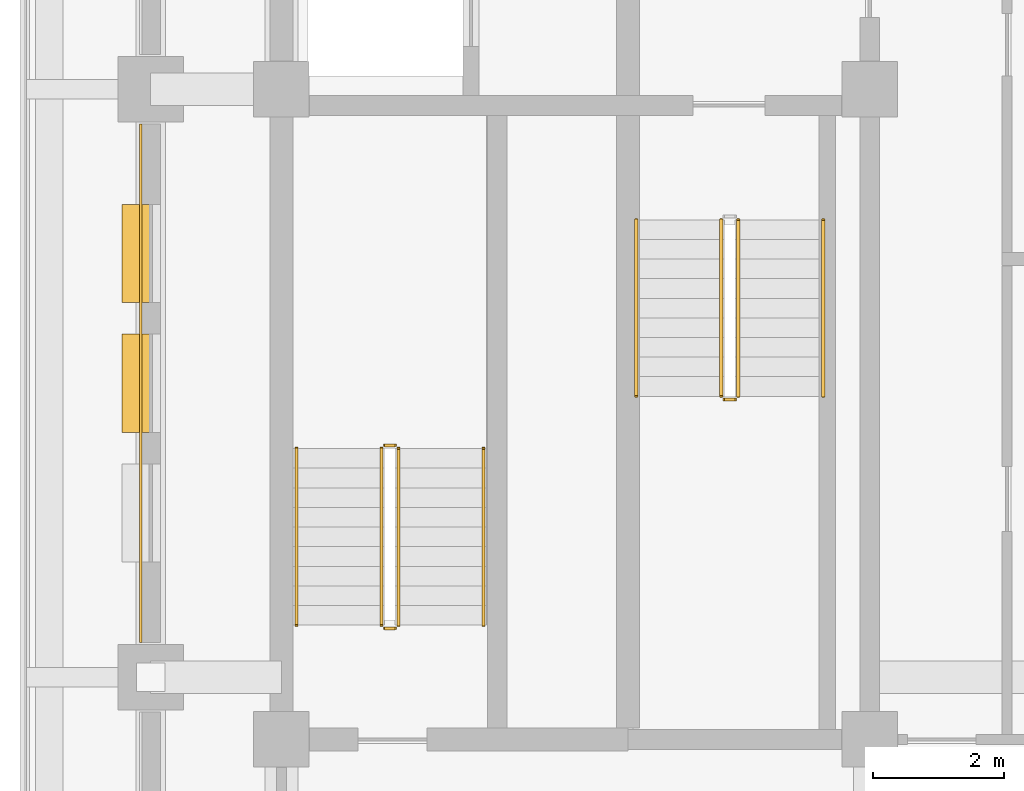
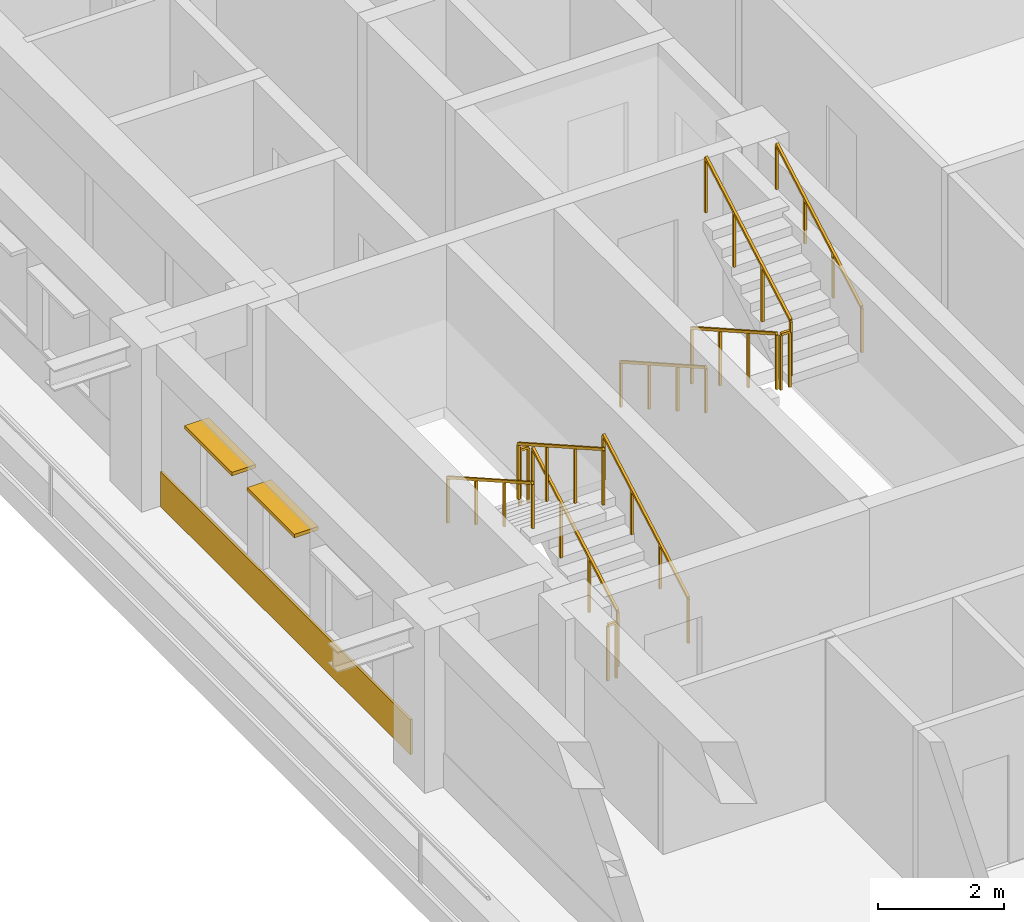
# One storey, part 9 of 13: 11 railings, 2 shading devices, 1 covering.
"""IFC4 building model written with IfcOpenShell, lengths in metres."""

import ifcopenshell
import ifcopenshell.guid

model = None  # the IFC model being written
_history = None  # IfcOwnerHistory: only IFC2X3 demands one
_inside = {}  # id of a spatial element -> (the spatial element, [elements in it])
_under = {}  # id of a project, library or spatial element -> (it, [spatial elements below it])
_declared = {}  # id of a project -> (the project, [libraries it declares])
_typed = {}  # id of a type object -> (the type object, [elements of that type])
_made_of = {}  # id of a material, layer set ... -> (it, [elements and type objects made of it])


def new_model(schema):
    """Start an empty IFC model of exactly this schema.

    Asked for "IFC4X3", IfcOpenShell would pick the latest addendum, in which some entities
    have other attributes; the version numbers below select the first issue.
    IFC2X3 requires an IfcOwnerHistory on every rooted entity: one is made here for all.
    """
    global model, _history
    if schema == "IFC4X3":
        model = ifcopenshell.file(schema_version=(4, 3, 0, 0))
    else:
        model = ifcopenshell.file(schema=schema)
    _inside.clear()
    _under.clear()
    _declared.clear()
    _typed.clear()
    _made_of.clear()
    _history = None
    if model.schema == "IFC2X3":
        org = make("IfcOrganization", Name="unknown")
        user = make(
            "IfcPersonAndOrganization",
            ThePerson=make("IfcPerson", FamilyName="unknown"),
            TheOrganization=org,
        )
        app = make(
            "IfcApplication",
            ApplicationDeveloper=org,
            Version="unknown",
            ApplicationFullName="unknown",
            ApplicationIdentifier="unknown",
        )
        _history = make(
            "IfcOwnerHistory",
            OwningUser=user,
            OwningApplication=app,
            ChangeAction="ADDED",
            CreationDate=0,
        )
    return model


def make(cls, **values):
    """One entity of the class cls with the attributes given. An attribute that is None is left unset."""
    return model.create_entity(
        cls, **{name: value for name, value in values.items() if value is not None}
    )


def rooted(cls, **values):
    """An entity with a GlobalId (a new one), such as an element, a storey or a relation."""
    return make(cls, GlobalId=ifcopenshell.guid.new(), OwnerHistory=_history, **values)


def si_unit(unit_type, name, prefix=None):
    """IfcSIUnit, for example si_unit("LENGTHUNIT", "METRE", prefix="MILLI")."""
    return make("IfcSIUnit", UnitType=unit_type, Prefix=prefix, Name=name)


def assignment(units):
    """IfcUnitAssignment: the units of a project."""
    return None if units is None else make("IfcUnitAssignment", Units=units)


def point(xyz):
    """IfcCartesianPoint."""
    return None if xyz is None else make("IfcCartesianPoint", Coordinates=xyz)


def direction(xyz):
    """IfcDirection."""
    return None if xyz is None else make("IfcDirection", DirectionRatios=xyz)


def frame(location, z_axis=None, x_axis=None):
    """IfcAxis2Placement3D, a coordinate frame: its origin and axes. An axis left out is left unset."""
    return make(
        "IfcAxis2Placement3D",
        Location=point(location),
        Axis=direction(z_axis),
        RefDirection=direction(x_axis),
    )


def frame_2d(location, x_axis=None):
    """IfcAxis2Placement2D, a coordinate frame in the plane: its origin and x axis."""
    return make(
        "IfcAxis2Placement2D", Location=point(location), RefDirection=direction(x_axis)
    )


def origin():
    """The frame at (0, 0, 0) with its axes left unset."""
    return frame((0.0, 0.0, 0.0))


def origin_2d():
    """The frame at (0, 0) in the plane with its x axis left unset."""
    return frame_2d((0.0, 0.0))


def place(relative_to, where):
    """IfcLocalPlacement: puts the frame where relative to a parent placement (None: the world)."""
    return make(
        "IfcLocalPlacement", PlacementRelTo=relative_to, RelativePlacement=where
    )


def context(
    kind, dimensions, precision=None, world=None, true_north=None, identifier=None
):
    """IfcGeometricRepresentationContext, for example the 3D "Model" context."""
    return make(
        "IfcGeometricRepresentationContext",
        ContextIdentifier=identifier,
        ContextType=kind,
        CoordinateSpaceDimension=dimensions,
        Precision=precision,
        WorldCoordinateSystem=world,
        TrueNorth=true_north,
    )


def subcontext(parent, identifier, kind, view, scale=None):
    """IfcGeometricRepresentationSubContext, for example "Body" below "Model"."""
    return make(
        "IfcGeometricRepresentationSubContext",
        ContextIdentifier=identifier,
        ContextType=kind,
        ParentContext=parent,
        TargetScale=scale,
        TargetView=view,
    )


def project(units=None, contexts=None):
    """IfcProject with its units and contexts."""
    return rooted(
        "IfcProject",
        Name="project",
        RepresentationContexts=contexts,
        UnitsInContext=assignment(units),
    )


def spatial(cls, under=None, at=None, **own):
    """A site, building, storey or space (cls), placed at a placement, below another one or the project."""
    s = rooted(cls, ObjectPlacement=at, **own)
    if under is not None:
        _under.setdefault(under.id(), (under, []))[1].append(s)
    return s


def profile(cls, at=None, kind="AREA", **sizes):
    """A parametric profile (cls). Its sizes go by their IFC names, for example OverallWidth=200.0."""
    return make(cls, ProfileType=kind, Position=at, **sizes)


def rectangle(**sizes):
    """IfcRectangleProfileDef."""
    return profile("IfcRectangleProfileDef", **sizes)


def extrude(swept, where, along, depth):
    """IfcExtrudedAreaSolid: the profile swept, set in the frame where, extruded along a direction by depth."""
    return make(
        "IfcExtrudedAreaSolid",
        SweptArea=swept,
        Position=where,
        ExtrudedDirection=direction(along),
        Depth=depth,
    )


def shape(context_of_items, identifier, shape_type, items):
    """IfcShapeRepresentation: the items that make up one representation, for example the "Body"."""
    return make(
        "IfcShapeRepresentation",
        ContextOfItems=context_of_items,
        RepresentationIdentifier=identifier,
        RepresentationType=shape_type,
        Items=items,
    )


def material(Name=None, Category=None):
    """IfcMaterial."""
    return make("IfcMaterial", Name=Name, Category=Category)


def layer(
    of_material, thickness, ventilated=None, Name=None, Category=None, Priority=None
):
    """IfcMaterialLayer: one layer of a wall or slab, of a material (None: an air gap)."""
    return make(
        "IfcMaterialLayer",
        Material=of_material,
        LayerThickness=thickness,
        IsVentilated=ventilated,
        Name=Name,
        Category=Category,
        Priority=Priority,
    )


def layer_set(layers, Name=None):
    """IfcMaterialLayerSet."""
    return make("IfcMaterialLayerSet", MaterialLayers=layers, LayerSetName=Name)


def made_of(thing, what):
    """Note that an element or type object is made of a material, layer set ...; save() writes the relation."""
    if what is not None:
        _made_of.setdefault(what.id(), (what, []))[1].append(thing)
    return thing


def type_object(cls, material=None, **own):
    """A type object (cls), such as IfcWallType, which elements share."""
    return made_of(rooted(cls, **own), material)


def element(
    cls,
    number,
    at=None,
    inside=None,
    cuts=None,
    type_object=None,
    material=None,
    context=None,
    identifier="Body",
    shape_type=None,
    held_by="IfcProductDefinitionShape",
    body=None,
    shapes=None,
    **own,
):
    """One element of the class cls, such as IfcWall. Its Tag is "e" and its number.

    at: its placement. inside: the storey or other place that contains it. cuts: it is an
    opening in that element (IfcRelVoidsElement). A single representation is given by context,
    identifier, shape_type and body (its items); several are given by shapes. held_by: the class
    of the entity that holds the representations. save() writes the other relations.
    """
    e = rooted(cls, Tag="e%d" % number, ObjectPlacement=at, **own)
    if body is not None:
        shapes = [shape(context, identifier, shape_type, body)]
    if shapes is not None:
        e.Representation = make(held_by, Representations=shapes)
    if inside is not None:
        _inside.setdefault(inside.id(), (inside, []))[1].append(e)
    if cuts is not None:
        rooted(
            "IfcRelVoidsElement", RelatingBuildingElement=cuts, RelatedOpeningElement=e
        )
    if type_object is not None:
        _typed.setdefault(type_object.id(), (type_object, []))[1].append(e)
    return made_of(e, material)


def aggregate(whole, parts):
    """IfcRelAggregates: a whole, such as a stair, and the parts it consists of."""
    return rooted("IfcRelAggregates", RelatingObject=whole, RelatedObjects=parts)


def save(model, path):
    """Write the relations noted so far, then the file.

    IfcRelAggregates (storeys below a building ...), IfcRelContainedInSpatialStructure (elements
    in a storey), IfcRelDefinesByType, IfcRelAssociatesMaterial and IfcRelDeclares: one each for
    every whole, place, type object, material and project.
    """
    for whole, parts in _under.values():
        aggregate(whole, parts)
    for where, things in _inside.values():
        rooted(
            "IfcRelContainedInSpatialStructure",
            RelatedElements=things,
            RelatingStructure=where,
        )
    for kind, things in _typed.values():
        rooted("IfcRelDefinesByType", RelatedObjects=things, RelatingType=kind)
    for what, things in _made_of.values():
        rooted("IfcRelAssociatesMaterial", RelatedObjects=things, RelatingMaterial=what)
    for by, libraries in _declared.values():
        rooted("IfcRelDeclares", RelatingContext=by, RelatedDefinitions=libraries)
    model.write(path)


model = new_model("IFC4")

# Units and contexts
model_context = context("Model", 3, precision=1e-05, world=origin(), true_north=direction((0.0, 1.0)))
body_context = subcontext(model_context, "Body", "Model", "MODEL_VIEW")
ifc_project = project(units=[si_unit("LENGTHUNIT", "METRE"), si_unit("AREAUNIT", "SQUARE_METRE"), si_unit("VOLUMEUNIT", "CUBIC_METRE"), si_unit("PLANEANGLEUNIT", "RADIAN"), si_unit("MASSUNIT", "GRAM", prefix="KILO")], contexts=[model_context])

# Site, building, storey
site_placement = place(None, origin())
site = spatial("IfcSite", under=ifc_project, at=site_placement, CompositionType="ELEMENT")
building_placement = place(site_placement, origin())
building = spatial("IfcBuilding", under=site, at=building_placement, Name="Zulmaris Gate Convention Tower", CompositionType="ELEMENT")
storey_placement = place(building_placement, frame((0.0, 0.0, 169.4599609375)))
storey = spatial("IfcBuildingStorey", under=building, at=storey_placement, Name="L43", CompositionType="ELEMENT", Elevation=169.4599609375)

# Covering
ifc_material_1 = material(Name="Precast concrete C40/50", Category="concrete")
ifc_layer_1 = layer(ifc_material_1, 0.0400390625, Name="Precast concrete C40/50")
ifc_layer_set_1 = layer_set([ifc_layer_1], Name="Precast concrete C40/50")
covering_type = type_object("IfcCoveringType", Name="CLAD-SPANDREL-PRECAST", PredefinedType="CLADDING", material=ifc_layer_set_1)
covering_placement = place(storey_placement, frame((-22.14990234375, -0.530029296875, 0.0), z_axis=(0.0, 0.0, 1.0), x_axis=(0.0, -1.0, 0.0)))
element("IfcCovering", 1, at=covering_placement, inside=storey, type_object=covering_type, Name="CLD-L43-W-1_0", PredefinedType="CLADDING", context=body_context, shape_type="SweptSolid", body=[
    extrude(rectangle(XDim=7.93994140625, YDim=0.0400390625, at=frame_2d((3.969970703125, 0.0))), origin(), (0.0, 0.0, 1.0), 0.679931640625),
])

# Railings
ifc_material_2 = material(Name="Painted Galvanised Steel", Category="steel")
railing_type_1 = type_object("IfcRailingType", Name="RL-STG-1150", PredefinedType="GUARDRAIL", material=ifc_material_2)
railing_1_placement = place(storey_placement, frame((-13.27001953125, -2.0, 0.169921875)))
element("IfcRailing", 2, at=railing_1_placement, inside=storey, type_object=railing_type_1, Name="L43 ST-1 stair guard 1", PredefinedType="GUARDRAIL", context=body_context, shape_type="SweptSolid", body=[
    extrude(rectangle(XDim=0.048095703125, YDim=0.048095703125, at=origin_2d()), frame((0.0, 0.0, 1.076171875), z_axis=(0.0, -0.870014312096, 0.49302646658), x_axis=(1.0, 0.0, 0.0)), (0.0, 0.0, 1.0), 3.103271484375),
    extrude(rectangle(XDim=0.0419921875, YDim=0.0419921875, at=origin_2d()), origin(), (0.0, 0.0, 1.0), 1.052001953125),
    extrude(rectangle(XDim=0.0419921875, YDim=0.0419921875, at=origin_2d()), frame((0.0, -0.89990234375, 0.510009765625)), (0.0, 0.0, 1.0), 1.052001953125),
    extrude(rectangle(XDim=0.0419921875, YDim=0.0419921875, at=origin_2d()), frame((0.0, -1.800048828125, 1.02001953125)), (0.0, 0.0, 1.0), 1.052001953125),
    extrude(rectangle(XDim=0.0419921875, YDim=0.0419921875, at=origin_2d()), frame((0.0, -2.699951171875, 1.530029296875)), (0.0, 0.0, 1.0), 1.052001953125),
])
railing_2_placement = place(storey_placement, frame((-13.219970703125, -4.75, 1.699951171875)))
element("IfcRailing", 3, at=railing_2_placement, inside=storey, type_object=railing_type_1, Name="L43 ST-1 stair guard 2", PredefinedType="GUARDRAIL", context=body_context, shape_type="SweptSolid", body=[
    extrude(rectangle(XDim=0.048095703125, YDim=0.048095703125, at=origin_2d()), frame((0.0, 0.0, 1.076171875), z_axis=(1.0, 0.0, 0.0), x_axis=(0.0, 1.0, 0.0)), (0.0, 0.0, 1.0), 0.159912109375),
    extrude(rectangle(XDim=0.0419921875, YDim=0.0419921875, at=origin_2d()), origin(), (0.0, 0.0, 1.0), 1.052001953125),
    extrude(rectangle(XDim=0.0419921875, YDim=0.0419921875, at=origin_2d()), frame((0.159912109375, 0.0, 0.0)), (0.0, 0.0, 1.0), 1.052001953125),
])
for number, where, name in (
    (4, (-13.010009765625, -4.699951171875, 1.869873046875), "L43 ST-1 stair guard 3"),
    (5, (-18.2099609375, -8.199951171875, 0.169921875), "L43 ST-3 stair guard 1"),
):
    element("IfcRailing", number, at=place(storey_placement, frame(where)), inside=storey, type_object=railing_type_1, Name=name, PredefinedType="GUARDRAIL", context=body_context, shape_type="SweptSolid", body=[
        extrude(rectangle(XDim=0.048095703125, YDim=0.048095703125, at=origin_2d()), frame((0.0, 0.0, 1.076171875), z_axis=(0.0, 0.870014312096, 0.49302646658), x_axis=(-1.0, 0.0, 0.0)), (0.0, 0.0, 1.0), 3.103271484375),
        extrude(rectangle(XDim=0.0419921875, YDim=0.0419921875, at=origin_2d()), origin(), (0.0, 0.0, 1.0), 1.052001953125),
        extrude(rectangle(XDim=0.0419921875, YDim=0.0419921875, at=origin_2d()), frame((0.0, 0.89990234375, 0.510009765625)), (0.0, 0.0, 1.0), 1.052001953125),
        extrude(rectangle(XDim=0.0419921875, YDim=0.0419921875, at=origin_2d()), frame((0.0, 1.800048828125, 1.02001953125)), (0.0, 0.0, 1.0), 1.052001953125),
        extrude(rectangle(XDim=0.0419921875, YDim=0.0419921875, at=origin_2d()), frame((0.0, 2.699951171875, 1.530029296875)), (0.0, 0.0, 1.0), 1.052001953125),
    ])
railing_3_placement = place(storey_placement, frame((-18.260009765625, -5.449951171875, 1.699951171875)))
element("IfcRailing", 6, at=railing_3_placement, inside=storey, type_object=railing_type_1, Name="L43 ST-3 stair guard 2", PredefinedType="GUARDRAIL", context=body_context, shape_type="SweptSolid", body=[
    extrude(rectangle(XDim=0.048095703125, YDim=0.048095703125, at=origin_2d()), frame((0.0, 0.0, 1.076171875), z_axis=(-1.0, 0.0, 0.0), x_axis=(0.0, -1.0, 0.0)), (0.0, 0.0, 1.0), 0.159912109375),
    extrude(rectangle(XDim=0.0419921875, YDim=0.0419921875, at=origin_2d()), origin(), (0.0, 0.0, 1.0), 1.052001953125),
    extrude(rectangle(XDim=0.0419921875, YDim=0.0419921875, at=origin_2d()), frame((-0.159912109375, 0.0, 0.0)), (0.0, 0.0, 1.0), 1.052001953125),
])
railing_4_placement = place(storey_placement, frame((-18.469970703125, -5.5, 1.869873046875)))
element("IfcRailing", 7, at=railing_4_placement, inside=storey, type_object=railing_type_1, Name="L43 ST-3 stair guard 3", PredefinedType="GUARDRAIL", context=body_context, shape_type="SweptSolid", body=[
    extrude(rectangle(XDim=0.048095703125, YDim=0.048095703125, at=origin_2d()), frame((0.0, 0.0, 1.076171875), z_axis=(0.0, -0.870014312096, 0.49302646658), x_axis=(1.0, 0.0, 0.0)), (0.0, 0.0, 1.0), 3.103271484375),
    extrude(rectangle(XDim=0.0419921875, YDim=0.0419921875, at=origin_2d()), origin(), (0.0, 0.0, 1.0), 1.052001953125),
    extrude(rectangle(XDim=0.0419921875, YDim=0.0419921875, at=origin_2d()), frame((0.0, -0.89990234375, 0.510009765625)), (0.0, 0.0, 1.0), 1.052001953125),
    extrude(rectangle(XDim=0.0419921875, YDim=0.0419921875, at=origin_2d()), frame((0.0, -1.800048828125, 1.02001953125)), (0.0, 0.0, 1.0), 1.052001953125),
    extrude(rectangle(XDim=0.0419921875, YDim=0.0419921875, at=origin_2d()), frame((0.0, -2.699951171875, 1.530029296875)), (0.0, 0.0, 1.0), 1.052001953125),
])
railing_5_placement = place(storey_placement, frame((-18.260009765625, -8.25, 0.0)))
element("IfcRailing", 8, at=railing_5_placement, inside=storey, type_object=railing_type_1, Name="L43 ST-3 stair guard 4", PredefinedType="GUARDRAIL", context=body_context, shape_type="SweptSolid", body=[
    extrude(rectangle(XDim=0.048095703125, YDim=0.048095703125, at=origin_2d()), frame((0.0, 0.0, 1.076171875), z_axis=(-1.0, 0.0, 0.0), x_axis=(0.0, -1.0, 0.0)), (0.0, 0.0, 1.0), 0.159912109375),
    extrude(rectangle(XDim=0.0419921875, YDim=0.0419921875, at=origin_2d()), origin(), (0.0, 0.0, 1.0), 1.052001953125),
    extrude(rectangle(XDim=0.0419921875, YDim=0.0419921875, at=origin_2d()), frame((-0.159912109375, 0.0, 0.0)), (0.0, 0.0, 1.0), 1.052001953125),
])
ifc_material_3 = material(Name="Brushed Stainless Steel", Category="steel")
railing_type_2 = type_object("IfcRailingType", Name="RL-STH-900", PredefinedType="HANDRAIL", material=ifc_material_3)
railing_6_placement = place(storey_placement, frame((-14.570068359375, -2.0, 0.169921875)))
element("IfcRailing", 9, at=railing_6_placement, inside=storey, type_object=railing_type_2, Name="L43 ST-1 stair handrail 1", PredefinedType="HANDRAIL", context=body_context, shape_type="SweptSolid", body=[
    extrude(rectangle(XDim=0.048095703125, YDim=0.048095703125, at=origin_2d()), frame((0.0, 0.0, 0.8759765625), z_axis=(0.0, -0.870014312096, 0.49302646658), x_axis=(1.0, 0.0, 0.0)), (0.0, 0.0, 1.0), 3.103271484375),
    extrude(rectangle(XDim=0.0419921875, YDim=0.0419921875, at=origin_2d()), origin(), (0.0, 0.0, 1.0), 0.851806640625),
    extrude(rectangle(XDim=0.0419921875, YDim=0.0419921875, at=origin_2d()), frame((0.0, -0.89990234375, 0.510009765625)), (0.0, 0.0, 1.0), 0.851806640625),
    extrude(rectangle(XDim=0.0419921875, YDim=0.0419921875, at=origin_2d()), frame((0.0, -1.800048828125, 1.02001953125)), (0.0, 0.0, 1.0), 0.851806640625),
    extrude(rectangle(XDim=0.0419921875, YDim=0.0419921875, at=origin_2d()), frame((0.0, -2.699951171875, 1.530029296875)), (0.0, 0.0, 1.0), 0.851806640625),
])
for number, where, name in (
    (10, (-11.7099609375, -4.699951171875, 1.869873046875), "L43 ST-1 stair handrail 2"),
    (11, (-16.909912109375, -8.199951171875, 0.169921875), "L43 ST-3 stair handrail 1"),
):
    element("IfcRailing", number, at=place(storey_placement, frame(where)), inside=storey, type_object=railing_type_2, Name=name, PredefinedType="HANDRAIL", context=body_context, shape_type="SweptSolid", body=[
        extrude(rectangle(XDim=0.048095703125, YDim=0.048095703125, at=origin_2d()), frame((0.0, 0.0, 0.8759765625), z_axis=(0.0, 0.870014312096, 0.49302646658), x_axis=(-1.0, 0.0, 0.0)), (0.0, 0.0, 1.0), 3.103271484375),
        extrude(rectangle(XDim=0.0419921875, YDim=0.0419921875, at=origin_2d()), origin(), (0.0, 0.0, 1.0), 0.851806640625),
        extrude(rectangle(XDim=0.0419921875, YDim=0.0419921875, at=origin_2d()), frame((0.0, 0.89990234375, 0.510009765625)), (0.0, 0.0, 1.0), 0.851806640625),
        extrude(rectangle(XDim=0.0419921875, YDim=0.0419921875, at=origin_2d()), frame((0.0, 1.800048828125, 1.02001953125)), (0.0, 0.0, 1.0), 0.851806640625),
        extrude(rectangle(XDim=0.0419921875, YDim=0.0419921875, at=origin_2d()), frame((0.0, 2.699951171875, 1.530029296875)), (0.0, 0.0, 1.0), 0.851806640625),
    ])
railing_7_placement = place(storey_placement, frame((-19.77001953125, -5.5, 1.869873046875)))
element("IfcRailing", 12, at=railing_7_placement, inside=storey, type_object=railing_type_2, Name="L43 ST-3 stair handrail 2", PredefinedType="HANDRAIL", context=body_context, shape_type="SweptSolid", body=[
    extrude(rectangle(XDim=0.048095703125, YDim=0.048095703125, at=origin_2d()), frame((0.0, 0.0, 0.8759765625), z_axis=(0.0, -0.870014312096, 0.49302646658), x_axis=(1.0, 0.0, 0.0)), (0.0, 0.0, 1.0), 3.103271484375),
    extrude(rectangle(XDim=0.0419921875, YDim=0.0419921875, at=origin_2d()), origin(), (0.0, 0.0, 1.0), 0.851806640625),
    extrude(rectangle(XDim=0.0419921875, YDim=0.0419921875, at=origin_2d()), frame((0.0, -0.89990234375, 0.510009765625)), (0.0, 0.0, 1.0), 0.851806640625),
    extrude(rectangle(XDim=0.0419921875, YDim=0.0419921875, at=origin_2d()), frame((0.0, -1.800048828125, 1.02001953125)), (0.0, 0.0, 1.0), 0.851806640625),
    extrude(rectangle(XDim=0.0419921875, YDim=0.0419921875, at=origin_2d()), frame((0.0, -2.699951171875, 1.530029296875)), (0.0, 0.0, 1.0), 0.851806640625),
])

# Shading devices
ifc_material_4 = material(Name="Glazed Ceramic Terracotta", Category="masonry")
ifc_layer_2 = layer(ifc_material_4, 0.070068359375, Name="Glazed Ceramic Terracotta")
ifc_layer_set_2 = layer_set([ifc_layer_2], Name="Glazed Ceramic Terracotta")
shading_device_type = type_object("IfcShadingDeviceType", Name="SHD-SUNSHADE-TC", PredefinedType="AWNING", material=ifc_layer_set_2)
for number, where, z_axis, x_axis, name in (
    (13, (-22.219970703125, -1.764892578125, 2.35009765625), (0.0, 0.0, 1.0), (0.0, -1.0, 0.0), "SHD-EW-L43-W-1_0-1"),
    (14, (-22.219970703125, -3.75, 2.35009765625), (0.0, 0.0, 1.0), (0.0, -1.0, 0.0), "SHD-EW-L43-W-1_0-2"),
):
    element("IfcShadingDevice", number, at=place(storey_placement, frame(where, z_axis=z_axis, x_axis=x_axis)), inside=storey, type_object=shading_device_type, Name=name, PredefinedType="AWNING", context=body_context, shape_type="SweptSolid", body=[
        extrude(rectangle(XDim=1.5, YDim=0.43994140625, at=frame_2d((0.75, 0.0))), origin(), (0.0, 0.0, 1.0), 0.06982421875),
    ])

save(model, "model.ifc")
